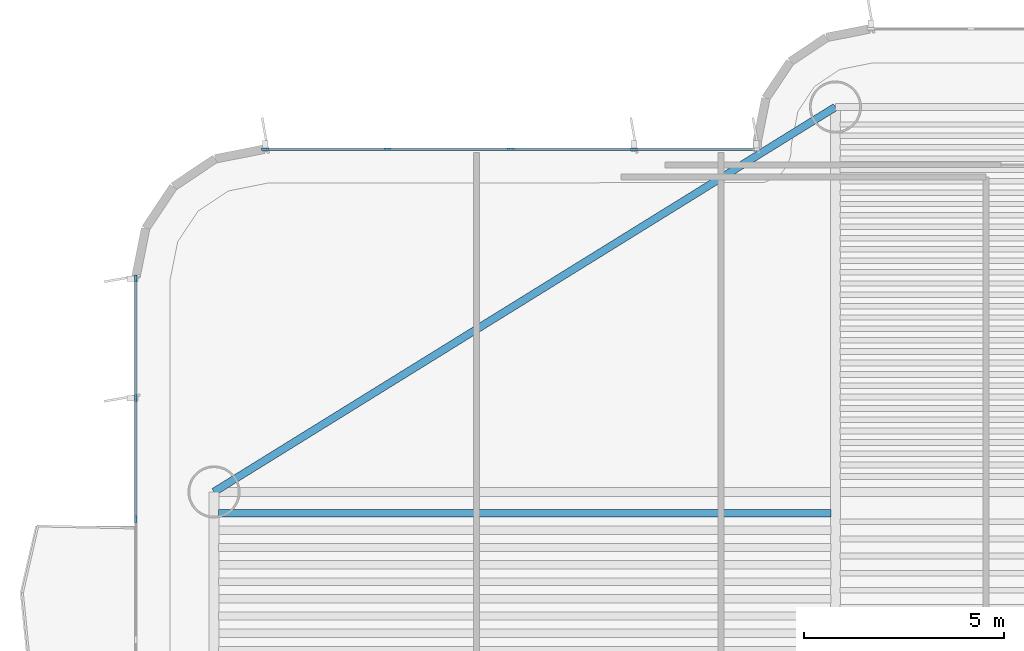
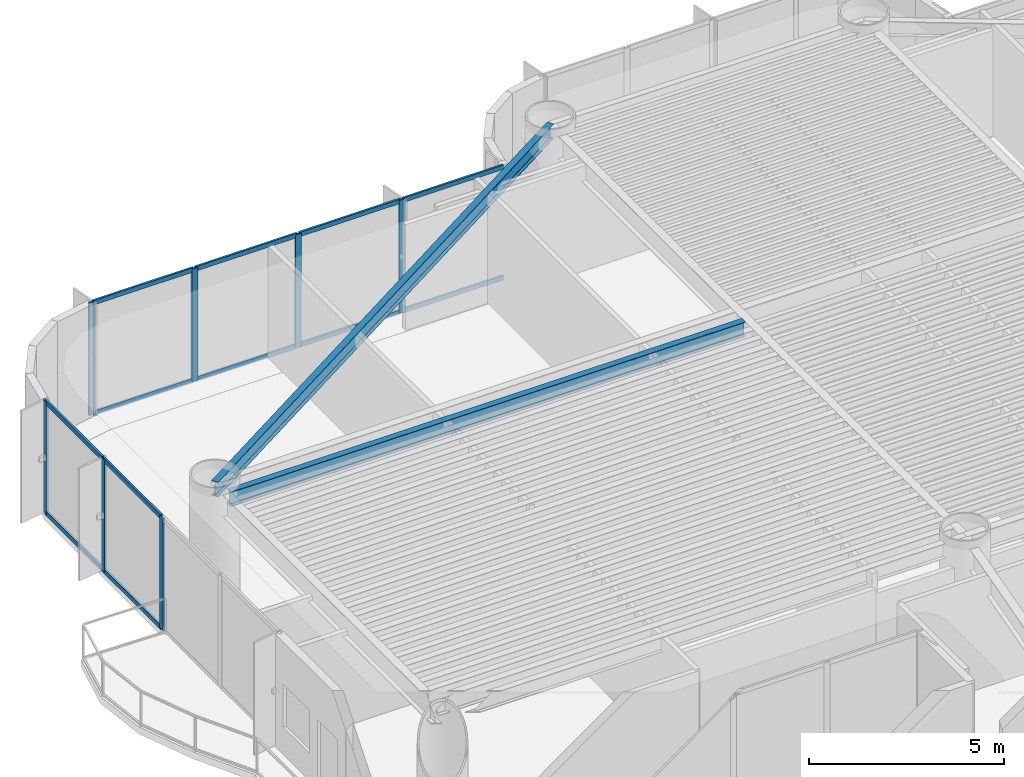
# One storey, part 5 of 16: 19 members, 2 beams, 2 elements without a shape of their own.
"""IFC4 building model written with IfcOpenShell, lengths in metres."""

from ifc_helpers import new_model, si_unit, direction, frame, origin, origin_2d, place, context, subcontext, project, spatial, rectangle, i_section, extrude, source, transform, mapped, material, layer, layer_set, material_profile, profile_set, type_object, element, aggregate, save


model = new_model("IFC4")

# Units and contexts
model_context = context("Model", 3, precision=1e-05, world=origin(), true_north=direction((0.0, 1.0)))
body_context = subcontext(model_context, "Body", "Model", "MODEL_VIEW")
ifc_project = project(units=[si_unit("LENGTHUNIT", "METRE"), si_unit("AREAUNIT", "SQUARE_METRE"), si_unit("VOLUMEUNIT", "CUBIC_METRE"), si_unit("PLANEANGLEUNIT", "RADIAN"), si_unit("MASSUNIT", "GRAM", prefix="KILO")], contexts=[model_context])

# Site, building, storey
site_placement = place(None, origin())
site = spatial("IfcSite", under=ifc_project, at=site_placement, CompositionType="ELEMENT")
building_placement = place(site_placement, origin())
building = spatial("IfcBuilding", under=site, at=building_placement, Name="Brelvock Crest Care Tower", CompositionType="ELEMENT")
storey_placement = place(building_placement, frame((0.0, 0.0, 116.280029296875)))
storey = spatial("IfcBuildingStorey", under=building, at=storey_placement, Name="L29", CompositionType="ELEMENT", Elevation=116.280029296875)

# Beams
ifc_material_1 = material(Name="Steel Grade 350", Category="steel")
ifc_material_profile_1 = material_profile(ifc_material_1, i_section(OverallWidth=0.19091796875, OverallDepth=0.4599609375, WebThickness=0.010009765625, FlangeThickness=0.01611328125, FilletRadius=0.011474609375, at=origin_2d()), Name="460UB82.1")
ifc_profile_set_1 = profile_set([ifc_material_profile_1], Name="Steel Grade 350")
beam_type_1 = type_object("IfcBeamType", Name="BM-G3", PredefinedType="BEAM", material=ifc_profile_set_1)
shared_shape_1 = source(origin(), body_context, "Body", "SweptSolid", [
    extrude(i_section(OverallWidth=0.19091796875, OverallDepth=0.4599609375, WebThickness=0.010009765625, FlangeThickness=0.01611328125, FilletRadius=0.011474609375, at=origin_2d()), origin(), (0.0, 0.0, 1.0), 15.27001953125),
])
beam_1_placement = place(storey_placement, frame((15.965087890625, 38.317626953125, 3.300048828125), z_axis=(1.0, 0.0, 0.0), x_axis=(0.0, 1.0, 0.0)))
element("IfcBeam", 1, at=beam_1_placement, inside=storey, type_object=beam_type_1, Name="BM-JW-L29-26", PredefinedType="BEAM", context=body_context, shape_type="MappedRepresentation", body=[
    mapped(shared_shape_1, transform((0.0, 0.0, 0.0), x_axis=(1.0, 0.0, 0.0), y_axis=(0.0, 1.0, 0.0), z_axis=(0.0, 0.0, 1.0), scale=1.0)),
])
ifc_material_profile_2 = material_profile(ifc_material_1, i_section(OverallWidth=0.19091796875, OverallDepth=0.4599609375, WebThickness=0.010009765625, FlangeThickness=0.01611328125, FilletRadius=0.011474609375, at=origin_2d()), Name="460UB82.1")
ifc_profile_set_2 = profile_set([ifc_material_profile_2], Name="Steel Grade 350")
beam_type_2 = type_object("IfcBeamType", Name="BM-SP2", PredefinedType="SPANDREL", material=ifc_profile_set_2)
shared_shape_2 = source(origin(), body_context, "Body", "SweptSolid", [
    extrude(i_section(OverallWidth=0.19091796875, OverallDepth=0.4599609375, WebThickness=0.010009765625, FlangeThickness=0.01611328125, FilletRadius=0.011474609375, at=origin_2d()), origin(), (0.0, 0.0, 1.0), 18.23193359375),
])
beam_2_placement = place(storey_placement, frame((15.85009765625, 38.85009765625, 3.300048828125), z_axis=(0.85015183248, 0.526537616635, 0.0), x_axis=(-0.526537616635, 0.85015183248, 0.0)))
element("IfcBeam", 2, at=beam_2_placement, inside=storey, type_object=beam_type_2, Name="BM-TWR-L29-06", PredefinedType="SPANDREL", context=body_context, shape_type="MappedRepresentation", body=[
    mapped(shared_shape_2, transform((0.0, 0.0, 0.0), x_axis=(1.0, 0.0, 0.0), y_axis=(0.0, 1.0, 0.0), z_axis=(0.0, 0.0, 1.0), scale=1.0)),
])

# Curtain wall, members
ifc_material_2 = material(Name="Dark Glass Double Glazed Low-E", Category="glass")
ifc_layer = layer(ifc_material_2, 0.2099609375, Name="CWS-3")
ifc_layer_set = layer_set([ifc_layer], Name="Dark Glass Double Glazed Low-E")
curtain_wall_type = type_object("IfcCurtainWallType", Name="CWS-3", PredefinedType="NOTDEFINED", material=ifc_layer_set)
curtain_wall_1_placement = place(storey_placement, origin())
curtain_wall_1 = element("IfcCurtainWall", 3, at=curtain_wall_1_placement, inside=storey, type_object=curtain_wall_type, Name="L29 Curtain Wall E17B", PredefinedType="NOTDEFINED")
ifc_material_3 = material(Name="Aluminium 6063-T6", Category="aluminium")
ifc_material_profile_3 = material_profile(ifc_material_3, rectangle(XDim=0.06005859375, YDim=0.179931640625, at=origin_2d()), Name="ALU60x180")
ifc_profile_set_3 = profile_set([ifc_material_profile_3], Name="Aluminium 6063-T6")
member_type_1 = type_object("IfcMemberType", Name="CWM-2", PredefinedType="MULLION", material=ifc_profile_set_3)
shared_shape_3 = source(origin(), body_context, "Body", "SweptSolid", [
    extrude(rectangle(XDim=0.06005859375, YDim=0.179931640625, at=origin_2d()), origin(), (0.0, 0.0, 1.0), 3.530029296875),
])
member_1_placement = place(storey_placement, frame((13.89990234375, 38.175048828125, 0.0), z_axis=(0.0, 0.0, 1.0), x_axis=(-1.0, 0.0, 0.0)))
member_1 = element("IfcMember", 4, at=member_1_placement, type_object=member_type_1, Name="CW-3 mullion 3", PredefinedType="MULLION", context=body_context, shape_type="MappedRepresentation", body=[
    mapped(shared_shape_3, transform((0.0, 0.0, 0.0), x_axis=(1.0, 0.0, 0.0), y_axis=(0.0, 1.0, 0.0), z_axis=(0.0, 0.0, 1.0), scale=1.0)),
])
member_2_placement = place(storey_placement, frame((13.89990234375, 41.1875, 0.0), z_axis=(0.0, 0.0, 1.0), x_axis=(-1.0, 0.0, 0.0)))
member_2 = element("IfcMember", 5, at=member_2_placement, type_object=member_type_1, Name="CW-3 mullion 4", PredefinedType="MULLION", context=body_context, shape_type="MappedRepresentation", body=[
    mapped(shared_shape_3, transform((0.0, 0.0, 0.0), x_axis=(1.0, 0.0, 0.0), y_axis=(0.0, 1.0, 0.0), z_axis=(0.0, 0.0, 1.0), scale=1.0)),
])
member_3_placement = place(storey_placement, frame((13.89990234375, 44.169921875, 0.0), z_axis=(0.0, 0.0, 1.0), x_axis=(-1.0, 0.0, 0.0)))
member_3 = element("IfcMember", 6, at=member_3_placement, type_object=member_type_1, Name="CW-3 mullion 5", PredefinedType="MULLION", context=body_context, shape_type="MappedRepresentation", body=[
    mapped(shared_shape_3, transform((0.0, 0.0, 0.0), x_axis=(1.0, 0.0, 0.0), y_axis=(0.0, 1.0, 0.0), z_axis=(0.0, 0.0, 1.0), scale=1.0)),
])

curtain_wall_2_placement = place(storey_placement, origin())
curtain_wall_2 = element("IfcCurtainWall", 7, at=curtain_wall_2_placement, inside=storey, type_object=curtain_wall_type, Name="L29 Curtain Wall E22", PredefinedType="NOTDEFINED")
member_4_placement = place(storey_placement, frame((17.1298828125, 47.39990234375, 0.0), z_axis=(0.0, 0.0, 1.0), x_axis=(0.0, 1.0, 0.0)))
member_4 = element("IfcMember", 8, at=member_4_placement, type_object=member_type_1, Name="CW-3 mullion 1", PredefinedType="MULLION", context=body_context, shape_type="MappedRepresentation", body=[
    mapped(shared_shape_3, transform((0.0, 0.0, 0.0), x_axis=(1.0, 0.0, 0.0), y_axis=(0.0, 1.0, 0.0), z_axis=(0.0, 0.0, 1.0), scale=1.0)),
])
member_5_placement = place(storey_placement, frame((20.175048828125, 47.39990234375, 0.0), z_axis=(0.0, 0.0, 1.0), x_axis=(0.0, 1.0, 0.0)))
member_5 = element("IfcMember", 9, at=member_5_placement, type_object=member_type_1, Name="CW-3 mullion 2", PredefinedType="MULLION", context=body_context, shape_type="MappedRepresentation", body=[
    mapped(shared_shape_3, transform((0.0, 0.0, 0.0), x_axis=(1.0, 0.0, 0.0), y_axis=(0.0, 1.0, 0.0), z_axis=(0.0, 0.0, 1.0), scale=1.0)),
])
member_6_placement = place(storey_placement, frame((23.25, 47.39990234375, 0.0), z_axis=(0.0, 0.0, 1.0), x_axis=(0.0, 1.0, 0.0)))
member_6 = element("IfcMember", 10, at=member_6_placement, type_object=member_type_1, Name="CW-3 mullion 3", PredefinedType="MULLION", context=body_context, shape_type="MappedRepresentation", body=[
    mapped(shared_shape_3, transform((0.0, 0.0, 0.0), x_axis=(1.0, 0.0, 0.0), y_axis=(0.0, 1.0, 0.0), z_axis=(0.0, 0.0, 1.0), scale=1.0)),
])
member_7_placement = place(storey_placement, frame((26.324951171875, 47.39990234375, 0.0), z_axis=(0.0, 0.0, 1.0), x_axis=(0.0, 1.0, 0.0)))
member_7 = element("IfcMember", 11, at=member_7_placement, type_object=member_type_1, Name="CW-3 mullion 4", PredefinedType="MULLION", context=body_context, shape_type="MappedRepresentation", body=[
    mapped(shared_shape_3, transform((0.0, 0.0, 0.0), x_axis=(1.0, 0.0, 0.0), y_axis=(0.0, 1.0, 0.0), z_axis=(0.0, 0.0, 1.0), scale=1.0)),
])

# Member
ifc_material_profile_4 = material_profile(ifc_material_3, rectangle(XDim=0.06005859375, YDim=0.139892578125, at=origin_2d()), Name="ALU60x140")
ifc_profile_set_4 = profile_set([ifc_material_profile_4], Name="Aluminium 6063-T6")
member_type_2 = type_object("IfcMemberType", Name="CWT-2", PredefinedType="USERDEFINED", material=ifc_profile_set_4)
shared_shape_4 = source(origin(), body_context, "Body", "SweptSolid", [
    extrude(rectangle(XDim=0.06005859375, YDim=0.139892578125, at=origin_2d()), origin(), (0.0, 0.0, 1.0), 2.952392578125),
])
member_8_placement = place(storey_placement, frame((13.89990234375, 38.205078125, 0.030029296875), z_axis=(0.0, 1.0, 0.0), x_axis=(-1.0, 0.0, 0.0)))
member_8 = element("IfcMember", 12, at=member_8_placement, type_object=member_type_2, Name="CW-3 transom 3.1", ObjectType="TRANSOM", PredefinedType="USERDEFINED", context=body_context, shape_type="MappedRepresentation", body=[
    mapped(shared_shape_4, transform((0.0, 0.0, 0.0), x_axis=(1.0, 0.0, 0.0), y_axis=(0.0, 1.0, 0.0), z_axis=(0.0, 0.0, 1.0), scale=1.0)),
])

member_9_placement = place(storey_placement, frame((13.89990234375, 38.205078125, 3.5), z_axis=(0.0, 1.0, 0.0), x_axis=(-1.0, 0.0, 0.0)))
member_9 = element("IfcMember", 13, at=member_9_placement, type_object=member_type_2, Name="CW-3 transom 3.2", ObjectType="TRANSOM", PredefinedType="USERDEFINED", context=body_context, shape_type="MappedRepresentation", body=[
    mapped(shared_shape_4, transform((0.0, 0.0, 0.0), x_axis=(1.0, 0.0, 0.0), y_axis=(0.0, 1.0, 0.0), z_axis=(0.0, 0.0, 1.0), scale=1.0)),
])

shared_shape_5 = source(origin(), body_context, "Body", "SweptSolid", [
    extrude(rectangle(XDim=0.06005859375, YDim=0.139892578125, at=origin_2d()), origin(), (0.0, 0.0, 1.0), 2.92236328125),
])
member_10_placement = place(storey_placement, frame((13.89990234375, 41.217529296875, 0.030029296875), z_axis=(0.0, 1.0, 0.0), x_axis=(-1.0, 0.0, 0.0)))
member_10 = element("IfcMember", 14, at=member_10_placement, type_object=member_type_2, Name="CW-3 transom 4.1", ObjectType="TRANSOM", PredefinedType="USERDEFINED", context=body_context, shape_type="MappedRepresentation", body=[
    mapped(shared_shape_5, transform((0.0, 0.0, 0.0), x_axis=(1.0, 0.0, 0.0), y_axis=(0.0, 1.0, 0.0), z_axis=(0.0, 0.0, 1.0), scale=1.0)),
])

member_11_placement = place(storey_placement, frame((13.89990234375, 41.217529296875, 3.5), z_axis=(0.0, 1.0, 0.0), x_axis=(-1.0, 0.0, 0.0)))
member_11 = element("IfcMember", 15, at=member_11_placement, type_object=member_type_2, Name="CW-3 transom 4.2", ObjectType="TRANSOM", PredefinedType="USERDEFINED", context=body_context, shape_type="MappedRepresentation", body=[
    mapped(shared_shape_5, transform((0.0, 0.0, 0.0), x_axis=(1.0, 0.0, 0.0), y_axis=(0.0, 1.0, 0.0), z_axis=(0.0, 0.0, 1.0), scale=1.0)),
])

aggregate(curtain_wall_1, [member_1, member_2, member_3, member_8, member_9, member_10, member_11])

shared_shape_6 = source(origin(), body_context, "Body", "SweptSolid", [
    extrude(rectangle(XDim=0.06005859375, YDim=0.139892578125, at=origin_2d()), origin(), (0.0, 0.0, 1.0), 2.985107421875),
])
member_12_placement = place(storey_placement, frame((17.159912109375, 47.39990234375, 0.030029296875), z_axis=(1.0, 0.0, 0.0), x_axis=(0.0, 1.0, 0.0)))
member_12 = element("IfcMember", 16, at=member_12_placement, type_object=member_type_2, Name="CW-3 transom 1.1", ObjectType="TRANSOM", PredefinedType="USERDEFINED", context=body_context, shape_type="MappedRepresentation", body=[
    mapped(shared_shape_6, transform((0.0, 0.0, 0.0), x_axis=(1.0, 0.0, 0.0), y_axis=(0.0, 1.0, 0.0), z_axis=(0.0, 0.0, 1.0), scale=1.0)),
])

member_13_placement = place(storey_placement, frame((17.159912109375, 47.39990234375, 3.5), z_axis=(1.0, 0.0, 0.0), x_axis=(0.0, 1.0, 0.0)))
member_13 = element("IfcMember", 17, at=member_13_placement, type_object=member_type_2, Name="CW-3 transom 1.2", ObjectType="TRANSOM", PredefinedType="USERDEFINED", context=body_context, shape_type="MappedRepresentation", body=[
    mapped(shared_shape_6, transform((0.0, 0.0, 0.0), x_axis=(1.0, 0.0, 0.0), y_axis=(0.0, 1.0, 0.0), z_axis=(0.0, 0.0, 1.0), scale=1.0)),
])

member_14_placement = place(storey_placement, frame((26.35498046875, 47.39990234375, 0.030029296875), z_axis=(1.0, 0.0, 0.0), x_axis=(0.0, 1.0, 0.0)))
member_14 = element("IfcMember", 18, at=member_14_placement, type_object=member_type_2, Name="CW-3 transom 4.1", ObjectType="TRANSOM", PredefinedType="USERDEFINED", context=body_context, shape_type="MappedRepresentation", body=[
    mapped(shared_shape_6, transform((0.0, 0.0, 0.0), x_axis=(1.0, 0.0, 0.0), y_axis=(0.0, 1.0, 0.0), z_axis=(0.0, 0.0, 1.0), scale=1.0)),
])

member_15_placement = place(storey_placement, frame((26.35498046875, 47.39990234375, 3.5), z_axis=(1.0, 0.0, 0.0), x_axis=(0.0, 1.0, 0.0)))
member_15 = element("IfcMember", 19, at=member_15_placement, type_object=member_type_2, Name="CW-3 transom 4.2", ObjectType="TRANSOM", PredefinedType="USERDEFINED", context=body_context, shape_type="MappedRepresentation", body=[
    mapped(shared_shape_6, transform((0.0, 0.0, 0.0), x_axis=(1.0, 0.0, 0.0), y_axis=(0.0, 1.0, 0.0), z_axis=(0.0, 0.0, 1.0), scale=1.0)),
])

shared_shape_7 = source(origin(), body_context, "Body", "SweptSolid", [
    extrude(rectangle(XDim=0.06005859375, YDim=0.139892578125, at=origin_2d()), origin(), (0.0, 0.0, 1.0), 3.014892578125),
])
member_16_placement = place(storey_placement, frame((20.205078125, 47.39990234375, 0.030029296875), z_axis=(1.0, 0.0, 0.0), x_axis=(0.0, 1.0, 0.0)))
member_16 = element("IfcMember", 20, at=member_16_placement, type_object=member_type_2, Name="CW-3 transom 2.1", ObjectType="TRANSOM", PredefinedType="USERDEFINED", context=body_context, shape_type="MappedRepresentation", body=[
    mapped(shared_shape_7, transform((0.0, 0.0, 0.0), x_axis=(1.0, 0.0, 0.0), y_axis=(0.0, 1.0, 0.0), z_axis=(0.0, 0.0, 1.0), scale=1.0)),
])

member_17_placement = place(storey_placement, frame((20.205078125, 47.39990234375, 3.5), z_axis=(1.0, 0.0, 0.0), x_axis=(0.0, 1.0, 0.0)))
member_17 = element("IfcMember", 21, at=member_17_placement, type_object=member_type_2, Name="CW-3 transom 2.2", ObjectType="TRANSOM", PredefinedType="USERDEFINED", context=body_context, shape_type="MappedRepresentation", body=[
    mapped(shared_shape_7, transform((0.0, 0.0, 0.0), x_axis=(1.0, 0.0, 0.0), y_axis=(0.0, 1.0, 0.0), z_axis=(0.0, 0.0, 1.0), scale=1.0)),
])

member_18_placement = place(storey_placement, frame((23.280029296875, 47.39990234375, 0.030029296875), z_axis=(1.0, 0.0, 0.0), x_axis=(0.0, 1.0, 0.0)))
member_18 = element("IfcMember", 22, at=member_18_placement, type_object=member_type_2, Name="CW-3 transom 3.1", ObjectType="TRANSOM", PredefinedType="USERDEFINED", context=body_context, shape_type="MappedRepresentation", body=[
    mapped(shared_shape_7, transform((0.0, 0.0, 0.0), x_axis=(1.0, 0.0, 0.0), y_axis=(0.0, 1.0, 0.0), z_axis=(0.0, 0.0, 1.0), scale=1.0)),
])

member_19_placement = place(storey_placement, frame((23.280029296875, 47.39990234375, 3.5), z_axis=(1.0, 0.0, 0.0), x_axis=(0.0, 1.0, 0.0)))
member_19 = element("IfcMember", 23, at=member_19_placement, type_object=member_type_2, Name="CW-3 transom 3.2", ObjectType="TRANSOM", PredefinedType="USERDEFINED", context=body_context, shape_type="MappedRepresentation", body=[
    mapped(shared_shape_7, transform((0.0, 0.0, 0.0), x_axis=(1.0, 0.0, 0.0), y_axis=(0.0, 1.0, 0.0), z_axis=(0.0, 0.0, 1.0), scale=1.0)),
])

aggregate(curtain_wall_2, [member_4, member_5, member_6, member_7, member_12, member_13, member_16, member_17, member_18, member_19, member_14, member_15])

save(model, "model.ifc")
